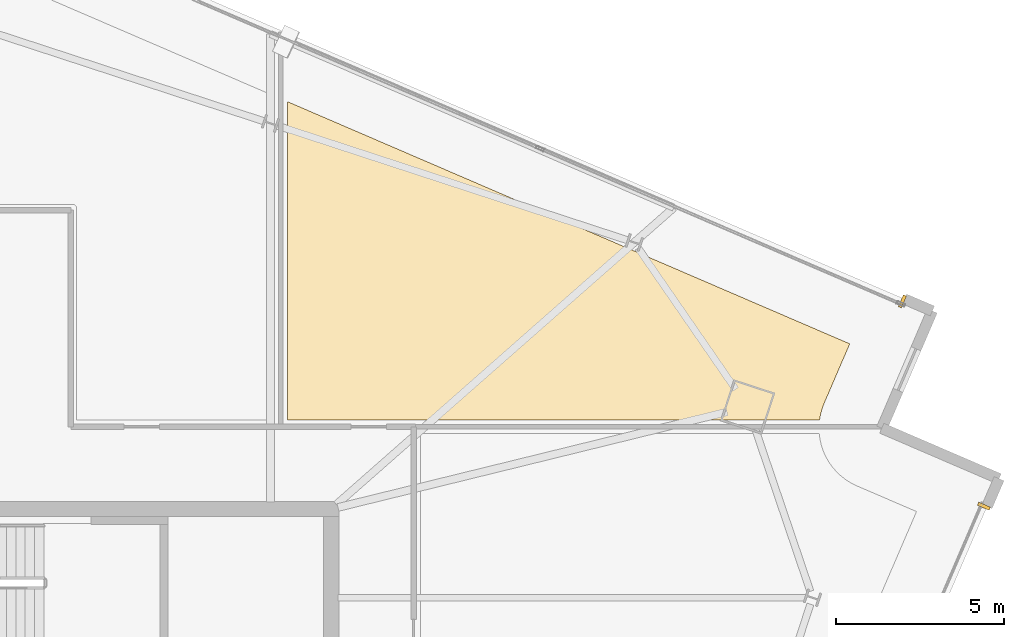
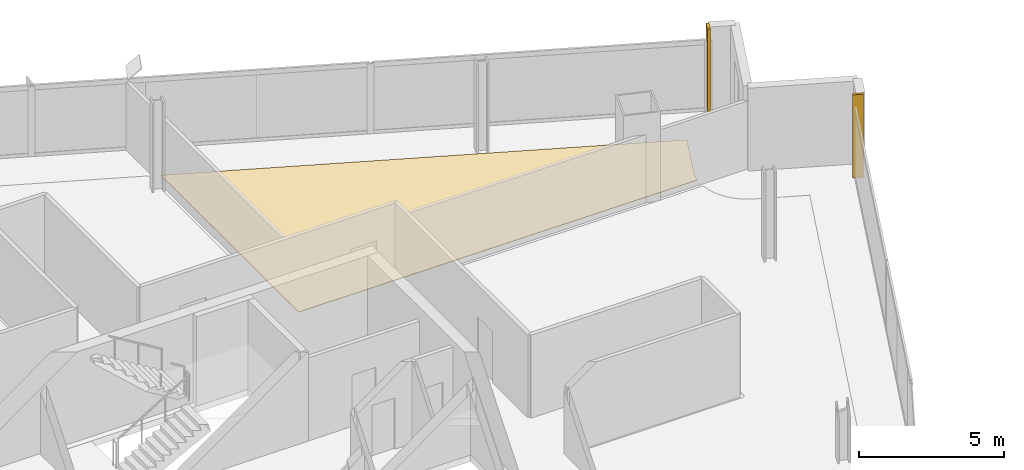
# One storey, part 28 of 28: 3 coverings.
"""IFC4 building model written with IfcOpenShell, lengths in metres."""

import ifcopenshell
import ifcopenshell.guid

model = None  # the IFC model being written
_history = None  # IfcOwnerHistory: only IFC2X3 demands one
_inside = {}  # id of a spatial element -> (the spatial element, [elements in it])
_under = {}  # id of a project, library or spatial element -> (it, [spatial elements below it])
_declared = {}  # id of a project -> (the project, [libraries it declares])
_typed = {}  # id of a type object -> (the type object, [elements of that type])
_made_of = {}  # id of a material, layer set ... -> (it, [elements and type objects made of it])


def new_model(schema):
    """Start an empty IFC model of exactly this schema.

    Asked for "IFC4X3", IfcOpenShell would pick the latest addendum, in which some entities
    have other attributes; the version numbers below select the first issue.
    IFC2X3 requires an IfcOwnerHistory on every rooted entity: one is made here for all.
    """
    global model, _history
    if schema == "IFC4X3":
        model = ifcopenshell.file(schema_version=(4, 3, 0, 0))
    else:
        model = ifcopenshell.file(schema=schema)
    _inside.clear()
    _under.clear()
    _declared.clear()
    _typed.clear()
    _made_of.clear()
    _history = None
    if model.schema == "IFC2X3":
        org = make("IfcOrganization", Name="unknown")
        user = make(
            "IfcPersonAndOrganization",
            ThePerson=make("IfcPerson", FamilyName="unknown"),
            TheOrganization=org,
        )
        app = make(
            "IfcApplication",
            ApplicationDeveloper=org,
            Version="unknown",
            ApplicationFullName="unknown",
            ApplicationIdentifier="unknown",
        )
        _history = make(
            "IfcOwnerHistory",
            OwningUser=user,
            OwningApplication=app,
            ChangeAction="ADDED",
            CreationDate=0,
        )
    return model


def make(cls, **values):
    """One entity of the class cls with the attributes given. An attribute that is None is left unset."""
    return model.create_entity(
        cls, **{name: value for name, value in values.items() if value is not None}
    )


def rooted(cls, **values):
    """An entity with a GlobalId (a new one), such as an element, a storey or a relation."""
    return make(cls, GlobalId=ifcopenshell.guid.new(), OwnerHistory=_history, **values)


def si_unit(unit_type, name, prefix=None):
    """IfcSIUnit, for example si_unit("LENGTHUNIT", "METRE", prefix="MILLI")."""
    return make("IfcSIUnit", UnitType=unit_type, Prefix=prefix, Name=name)


def assignment(units):
    """IfcUnitAssignment: the units of a project."""
    return None if units is None else make("IfcUnitAssignment", Units=units)


def point(xyz):
    """IfcCartesianPoint."""
    return None if xyz is None else make("IfcCartesianPoint", Coordinates=xyz)


def direction(xyz):
    """IfcDirection."""
    return None if xyz is None else make("IfcDirection", DirectionRatios=xyz)


def frame(location, z_axis=None, x_axis=None):
    """IfcAxis2Placement3D, a coordinate frame: its origin and axes. An axis left out is left unset."""
    return make(
        "IfcAxis2Placement3D",
        Location=point(location),
        Axis=direction(z_axis),
        RefDirection=direction(x_axis),
    )


def frame_2d(location, x_axis=None):
    """IfcAxis2Placement2D, a coordinate frame in the plane: its origin and x axis."""
    return make(
        "IfcAxis2Placement2D", Location=point(location), RefDirection=direction(x_axis)
    )


def origin():
    """The frame at (0, 0, 0) with its axes left unset."""
    return frame((0.0, 0.0, 0.0))


def origin_2d():
    """The frame at (0, 0) in the plane with its x axis left unset."""
    return frame_2d((0.0, 0.0))


def place(relative_to, where):
    """IfcLocalPlacement: puts the frame where relative to a parent placement (None: the world)."""
    return make(
        "IfcLocalPlacement", PlacementRelTo=relative_to, RelativePlacement=where
    )


def context(
    kind, dimensions, precision=None, world=None, true_north=None, identifier=None
):
    """IfcGeometricRepresentationContext, for example the 3D "Model" context."""
    return make(
        "IfcGeometricRepresentationContext",
        ContextIdentifier=identifier,
        ContextType=kind,
        CoordinateSpaceDimension=dimensions,
        Precision=precision,
        WorldCoordinateSystem=world,
        TrueNorth=true_north,
    )


def subcontext(parent, identifier, kind, view, scale=None):
    """IfcGeometricRepresentationSubContext, for example "Body" below "Model"."""
    return make(
        "IfcGeometricRepresentationSubContext",
        ContextIdentifier=identifier,
        ContextType=kind,
        ParentContext=parent,
        TargetScale=scale,
        TargetView=view,
    )


def project(units=None, contexts=None):
    """IfcProject with its units and contexts."""
    return rooted(
        "IfcProject",
        Name="project",
        RepresentationContexts=contexts,
        UnitsInContext=assignment(units),
    )


def spatial(cls, under=None, at=None, **own):
    """A site, building, storey or space (cls), placed at a placement, below another one or the project."""
    s = rooted(cls, ObjectPlacement=at, **own)
    if under is not None:
        _under.setdefault(under.id(), (under, []))[1].append(s)
    return s


def polyline(points):
    """IfcPolyline through the points."""
    return make("IfcPolyline", Points=[point(p) for p in points])


def profile(cls, at=None, kind="AREA", **sizes):
    """A parametric profile (cls). Its sizes go by their IFC names, for example OverallWidth=200.0."""
    return make(cls, ProfileType=kind, Position=at, **sizes)


def rectangle(**sizes):
    """IfcRectangleProfileDef."""
    return profile("IfcRectangleProfileDef", **sizes)


def outline(outer, holes=None, kind="AREA"):
    """IfcArbitraryClosedProfileDef: a profile drawn as a closed curve; with holes, ...WithVoids."""
    if holes is None:
        return make("IfcArbitraryClosedProfileDef", ProfileType=kind, OuterCurve=outer)
    return make(
        "IfcArbitraryProfileDefWithVoids",
        ProfileType=kind,
        OuterCurve=outer,
        InnerCurves=holes,
    )


def extrude(swept, where, along, depth):
    """IfcExtrudedAreaSolid: the profile swept, set in the frame where, extruded along a direction by depth."""
    return make(
        "IfcExtrudedAreaSolid",
        SweptArea=swept,
        Position=where,
        ExtrudedDirection=direction(along),
        Depth=depth,
    )


def shape(context_of_items, identifier, shape_type, items):
    """IfcShapeRepresentation: the items that make up one representation, for example the "Body"."""
    return make(
        "IfcShapeRepresentation",
        ContextOfItems=context_of_items,
        RepresentationIdentifier=identifier,
        RepresentationType=shape_type,
        Items=items,
    )


def source(mapping_origin, context_of_items, identifier, shape_type, items):
    """IfcRepresentationMap: a shape defined once, which mapped items show again and again."""
    return make(
        "IfcRepresentationMap",
        MappingOrigin=mapping_origin,
        MappedRepresentation=shape(context_of_items, identifier, shape_type, items),
    )


def transform(
    local_origin,
    x_axis=None,
    y_axis=None,
    z_axis=None,
    scale=None,
    scale2=None,
    scale3=None,
    uniform=True,
):
    """IfcCartesianTransformationOperator3D, or its non-uniform kind. x_axis, y_axis, z_axis: its Axis1, 2, 3."""
    if uniform:
        return make(
            "IfcCartesianTransformationOperator3D",
            Axis1=direction(x_axis),
            Axis2=direction(y_axis),
            LocalOrigin=point(local_origin),
            Scale=scale,
            Axis3=direction(z_axis),
        )
    return make(
        "IfcCartesianTransformationOperator3DnonUniform",
        Axis1=direction(x_axis),
        Axis2=direction(y_axis),
        LocalOrigin=point(local_origin),
        Scale=scale,
        Axis3=direction(z_axis),
        Scale2=scale2,
        Scale3=scale3,
    )


def mapped(mapping_source, mapping_target):
    """IfcMappedItem: shows the shape of a source again, moved by a transform."""
    return make(
        "IfcMappedItem", MappingSource=mapping_source, MappingTarget=mapping_target
    )


def material(Name=None, Category=None):
    """IfcMaterial."""
    return make("IfcMaterial", Name=Name, Category=Category)


def layer(
    of_material, thickness, ventilated=None, Name=None, Category=None, Priority=None
):
    """IfcMaterialLayer: one layer of a wall or slab, of a material (None: an air gap)."""
    return make(
        "IfcMaterialLayer",
        Material=of_material,
        LayerThickness=thickness,
        IsVentilated=ventilated,
        Name=Name,
        Category=Category,
        Priority=Priority,
    )


def layer_set(layers, Name=None):
    """IfcMaterialLayerSet."""
    return make("IfcMaterialLayerSet", MaterialLayers=layers, LayerSetName=Name)


def made_of(thing, what):
    """Note that an element or type object is made of a material, layer set ...; save() writes the relation."""
    if what is not None:
        _made_of.setdefault(what.id(), (what, []))[1].append(thing)
    return thing


def type_object(cls, material=None, **own):
    """A type object (cls), such as IfcWallType, which elements share."""
    return made_of(rooted(cls, **own), material)


def element(
    cls,
    number,
    at=None,
    inside=None,
    cuts=None,
    type_object=None,
    material=None,
    context=None,
    identifier="Body",
    shape_type=None,
    held_by="IfcProductDefinitionShape",
    body=None,
    shapes=None,
    **own,
):
    """One element of the class cls, such as IfcWall. Its Tag is "e" and its number.

    at: its placement. inside: the storey or other place that contains it. cuts: it is an
    opening in that element (IfcRelVoidsElement). A single representation is given by context,
    identifier, shape_type and body (its items); several are given by shapes. held_by: the class
    of the entity that holds the representations. save() writes the other relations.
    """
    e = rooted(cls, Tag="e%d" % number, ObjectPlacement=at, **own)
    if body is not None:
        shapes = [shape(context, identifier, shape_type, body)]
    if shapes is not None:
        e.Representation = make(held_by, Representations=shapes)
    if inside is not None:
        _inside.setdefault(inside.id(), (inside, []))[1].append(e)
    if cuts is not None:
        rooted(
            "IfcRelVoidsElement", RelatingBuildingElement=cuts, RelatedOpeningElement=e
        )
    if type_object is not None:
        _typed.setdefault(type_object.id(), (type_object, []))[1].append(e)
    return made_of(e, material)


def aggregate(whole, parts):
    """IfcRelAggregates: a whole, such as a stair, and the parts it consists of."""
    return rooted("IfcRelAggregates", RelatingObject=whole, RelatedObjects=parts)


def save(model, path):
    """Write the relations noted so far, then the file.

    IfcRelAggregates (storeys below a building ...), IfcRelContainedInSpatialStructure (elements
    in a storey), IfcRelDefinesByType, IfcRelAssociatesMaterial and IfcRelDeclares: one each for
    every whole, place, type object, material and project.
    """
    for whole, parts in _under.values():
        aggregate(whole, parts)
    for where, things in _inside.values():
        rooted(
            "IfcRelContainedInSpatialStructure",
            RelatedElements=things,
            RelatingStructure=where,
        )
    for kind, things in _typed.values():
        rooted("IfcRelDefinesByType", RelatedObjects=things, RelatingType=kind)
    for what, things in _made_of.values():
        rooted("IfcRelAssociatesMaterial", RelatedObjects=things, RelatingMaterial=what)
    for by, libraries in _declared.values():
        rooted("IfcRelDeclares", RelatingContext=by, RelatedDefinitions=libraries)
    model.write(path)


model = new_model("IFC4")

# Units and contexts
model_context = context("Model", 3, precision=1e-05, world=origin(), true_north=direction((0.0, 1.0)))
body_context = subcontext(model_context, "Body", "Model", "MODEL_VIEW")
ifc_project = project(units=[si_unit("LENGTHUNIT", "METRE"), si_unit("AREAUNIT", "SQUARE_METRE"), si_unit("VOLUMEUNIT", "CUBIC_METRE"), si_unit("PLANEANGLEUNIT", "RADIAN"), si_unit("MASSUNIT", "GRAM", prefix="KILO")], contexts=[model_context])

# Site, building, storey
site_placement = place(None, origin())
site = spatial("IfcSite", under=ifc_project, at=site_placement, CompositionType="ELEMENT")
building_placement = place(site_placement, origin())
building = spatial("IfcBuilding", under=site, at=building_placement, Name="Haldenkirk Collegiate Tower", CompositionType="ELEMENT")
storey_placement = place(building_placement, frame((0.0, 0.0, 252.449951171875)))
storey = spatial("IfcBuildingStorey", under=building, at=storey_placement, Name="L63", CompositionType="ELEMENT", Elevation=252.449951171875)

# Coverings
ifc_material_1 = material(Name="Engineered collegiate oak acoustic flooring", Category="wood")
ifc_layer_1 = layer(ifc_material_1, 0.02197265625)
ifc_layer_set_1 = layer_set([ifc_layer_1], Name="Engineered collegiate oak acoustic flooring")
covering_type_1 = type_object("IfcCoveringType", Name="COV-FLOOR-TIMBER", PredefinedType="FLOORING", material=ifc_layer_set_1)
covering_placement = place(storey_placement, origin())
element("IfcCovering", 1, at=covering_placement, inside=storey, type_object=covering_type_1, Name="L63 academic room finish 07", PredefinedType="FLOORING", context=body_context, shape_type="SweptSolid", body=[
    extrude(outline(polyline([(59.533935546875, 36.64990234375), (43.699951171875, 36.64990234375), (43.699951171875, 46.125732421875), (60.4326171875, 38.91943359375), (59.66943359375, 37.146728515625), (59.667236328125, 37.141357421875), (59.607177734375, 36.98046875), (59.603515625, 36.968994140625), (59.5595703125, 36.802978515625), (59.55712890625, 36.791748046875), (59.533935546875, 36.64990234375)])), origin(), (0.0, 0.0, 1.0), 0.02197265625),
])
ifc_material_2 = material(Name="Anodised architectural bronze aluminium", Category="aluminium")
ifc_layer_2 = layer(ifc_material_2, 0.06005859375)
ifc_layer_set_2 = layer_set([ifc_layer_2], Name="Anodised architectural bronze aluminium")
covering_type_2 = type_object("IfcCoveringType", Name="COV-CLAD-BRONZE-60", PredefinedType="CLADDING", material=ifc_layer_set_2)
shared_shape = source(origin(), body_context, "Body", "SweptSolid", [
    extrude(rectangle(XDim=0.10009765625, YDim=0.3798828125, at=origin_2d()), origin(), (0.0, 0.0, 1.0), 3.47998046875),
])
for number, where, z_axis, x_axis, name in (
    (2, (64.426513671875, 34.08544921875, 0.0), (0.0, 0.0, 1.0), (-0.395545502563, -0.918446381343, 0.0), "L63 recessed curtain-wall bronze jamb closure SJL"),
    (3, (62.0, 40.182373046875, 0.0), (0.0, 0.0, 1.0), (0.918446381343, -0.395545502563, 0.0), "L63 recessed curtain-wall bronze jamb closure EJR"),
):
    element("IfcCovering", number, at=place(storey_placement, frame(where, z_axis=z_axis, x_axis=x_axis)), inside=storey, type_object=covering_type_2, Name=name, PredefinedType="CLADDING", context=body_context, shape_type="MappedRepresentation", body=[
        mapped(shared_shape, transform((0.0, 0.0, 0.0), x_axis=(1.0, 0.0, 0.0), y_axis=(0.0, 1.0, 0.0), z_axis=(0.0, 0.0, 1.0), scale=1.0)),
    ])

save(model, "model.ifc")
